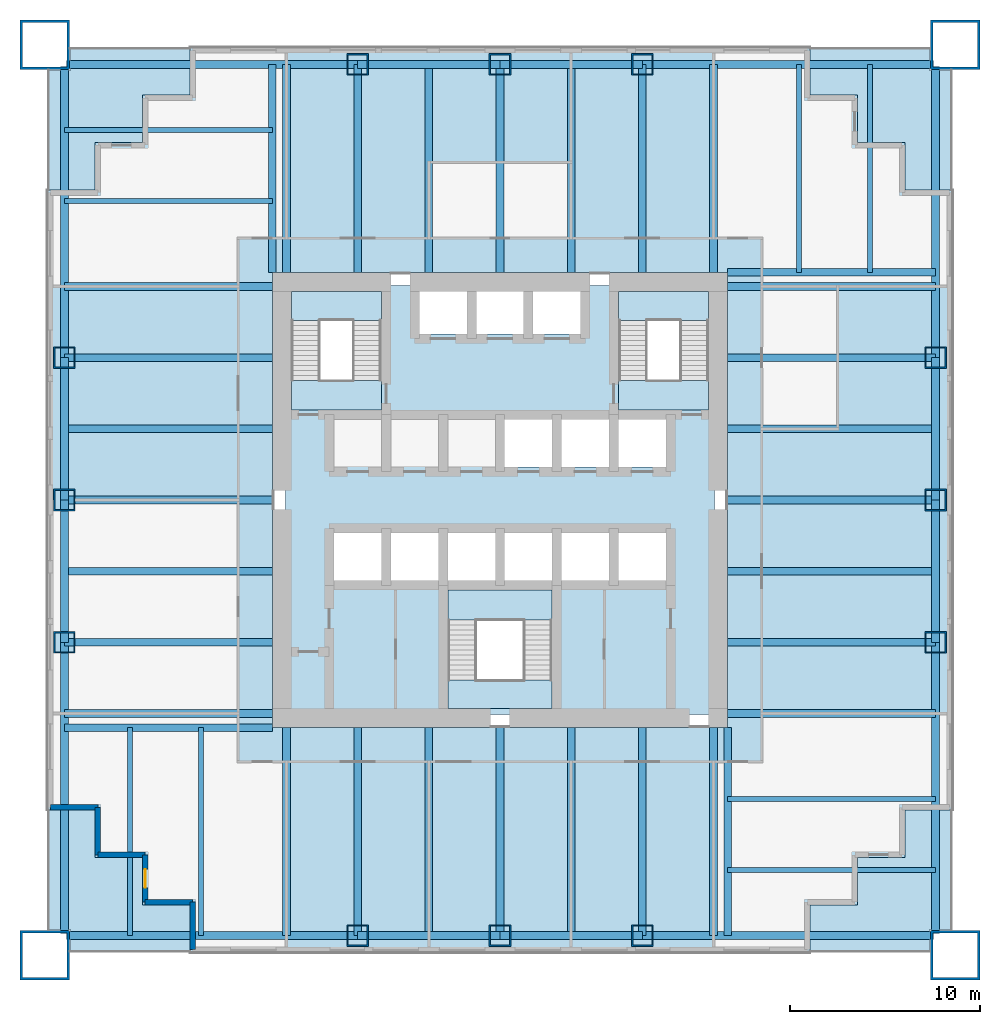
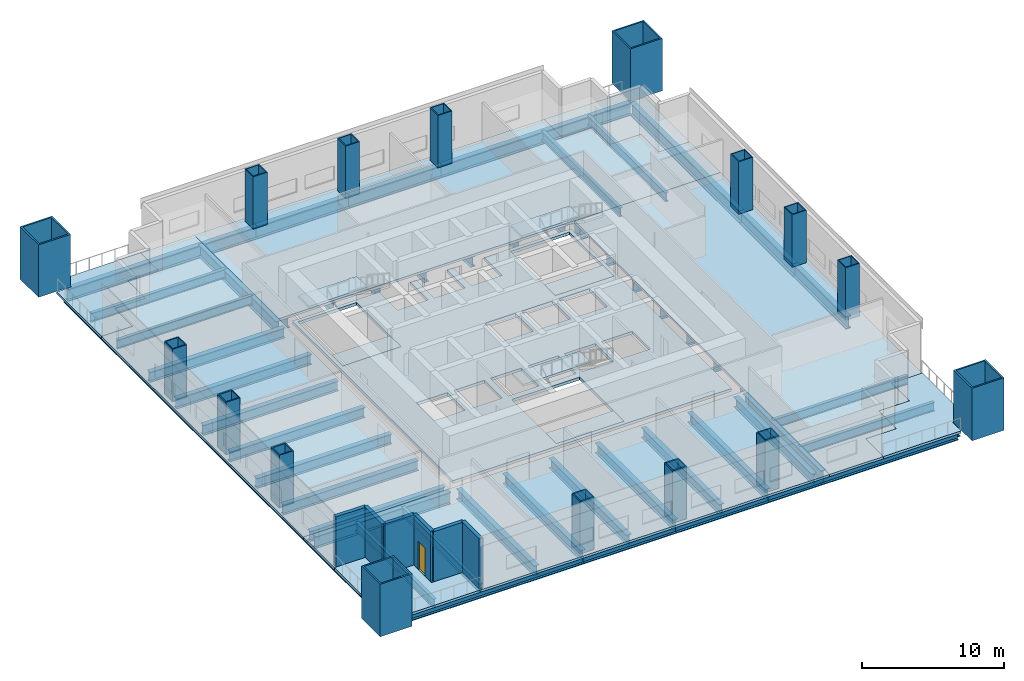
# One storey, part 1 of 7: 56 beams, 16 columns, 15 slabs, 6 walls, 1 door, 1 opening, 3 elements without a shape of their own.
"""IFC4 building model written with IfcOpenShell, lengths in metres."""

from ifc_helpers import new_model, si_unit, direction, frame, frame_2d, origin, origin_2d, place, context, subcontext, project, spatial, polyline, rectangle, hollow_rectangle, i_section, outline, extrude, material, layer, layer_set, material_profile, profile_set, type_object, element, fill, aggregate, save


model = new_model("IFC4")

# Units and contexts
model_context = context("Model", 3, precision=1e-05, world=origin(), true_north=direction((0.0, 1.0)))
body_context = subcontext(model_context, "Body", "Model", "MODEL_VIEW")
ifc_project = project(units=[si_unit("LENGTHUNIT", "METRE"), si_unit("AREAUNIT", "SQUARE_METRE"), si_unit("VOLUMEUNIT", "CUBIC_METRE"), si_unit("PLANEANGLEUNIT", "RADIAN"), si_unit("MASSUNIT", "GRAM", prefix="KILO")], contexts=[model_context])

# Site, building, storey
site_placement = place(None, origin())
site = spatial("IfcSite", under=ifc_project, at=site_placement, CompositionType="ELEMENT")
building_placement = place(site_placement, origin())
building = spatial("IfcBuilding", under=site, at=building_placement, Name="Tarangal Relay Tower", CompositionType="ELEMENT")
storey_placement = place(building_placement, frame((0.0, 0.0, 126.89990234375)))
storey = spatial("IfcBuildingStorey", under=building, at=storey_placement, Name="L25", CompositionType="ELEMENT", Elevation=126.89990234375)

# Columns
ifc_material_1 = material(Name="Steel ASTM A572 Grade 42", Category="steel")
ifc_material_profile_1 = material_profile(ifc_material_1, hollow_rectangle(XDim=2.60009765625, YDim=2.60009765625, WallThickness=0.1298828125, at=origin_2d()), Name="BOX2600X2600X130")
ifc_profile_set_1 = profile_set([ifc_material_profile_1], Name="Steel ASTM A572 Grade 42")
column_type_1 = type_object("IfcColumnType", Name="Mega column BOX2600X2600X130", PredefinedType="COLUMN", material=ifc_profile_set_1)
for number, where, z_axis, x_axis, name in (
    (1, (24.0, 24.0, 0.0), (0.0, 0.0, 1.0), (1.0, 0.0, 0.0), "Mega column MC2 NE L25"),
    (2, (24.0, -24.0, 0.0), (0.0, 0.0, 1.0), (1.0, 0.0, 0.0), "Mega column MC2 SE L25"),
    (3, (-24.0, -24.0, 0.0), (0.0, 0.0, 1.0), (1.0, 0.0, 0.0), "Mega column MC2 SW L25"),
    (4, (-24.0, 24.0, 0.0), (0.0, 0.0, 1.0), (1.0, 0.0, 0.0), "Mega column MC2 NW L25"),
):
    element("IfcColumn", number, at=place(storey_placement, frame(where, z_axis=z_axis, x_axis=x_axis)), inside=storey, type_object=column_type_1, Name=name, PredefinedType="COLUMN", context=body_context, shape_type="SweptSolid", body=[
        extrude(hollow_rectangle(XDim=2.60009765625, YDim=2.60009765625, WallThickness=0.1298828125, at=origin_2d()), origin(), (0.0, 0.0, 1.0), 4.5),
    ])
ifc_material_2 = material(Name="Steel ASTM A572 Grade 50", Category="steel")
ifc_material_profile_2 = material_profile(ifc_material_2, hollow_rectangle(XDim=1.14990234375, YDim=1.14990234375, WallThickness=0.074951171875, at=origin_2d()), Name="BOX1150X1150X75")
ifc_profile_set_2 = profile_set([ifc_material_profile_2], Name="Steel ASTM A572 Grade 50")
column_type_2 = type_object("IfcColumnType", Name="Perimeter column BOX1150X1150X75", PredefinedType="COLUMN", material=ifc_profile_set_2)
for number, where, z_axis, x_axis, name in (
    (5, (-7.5, 22.965087890625, 0.0), (0.0, 0.0, 1.0), (1.0, 0.0, 0.0), "Perimeter column PC3 N L25"),
    (6, (0.0, 22.965087890625, 0.0), (0.0, 0.0, 1.0), (1.0, 0.0, 0.0), "Perimeter column PC3 N L25"),
    (7, (7.5, 22.965087890625, 0.0), (0.0, 0.0, 1.0), (1.0, 0.0, 0.0), "Perimeter column PC3 N L25"),
    (8, (22.965087890625, 7.5, 0.0), (0.0, 0.0, 1.0), (1.0, 0.0, 0.0), "Perimeter column PC3 E L25"),
    (9, (22.965087890625, 0.0, 0.0), (0.0, 0.0, 1.0), (1.0, 0.0, 0.0), "Perimeter column PC3 E L25"),
    (10, (22.965087890625, -7.5, 0.0), (0.0, 0.0, 1.0), (1.0, 0.0, 0.0), "Perimeter column PC3 E L25"),
    (11, (7.5, -22.965087890625, 0.0), (0.0, 0.0, 1.0), (1.0, 0.0, 0.0), "Perimeter column PC3 S L25"),
    (12, (0.0, -22.965087890625, 0.0), (0.0, 0.0, 1.0), (1.0, 0.0, 0.0), "Perimeter column PC3 S L25"),
    (13, (-7.5, -22.965087890625, 0.0), (0.0, 0.0, 1.0), (1.0, 0.0, 0.0), "Perimeter column PC3 S L25"),
    (14, (-22.965087890625, -7.5, 0.0), (0.0, 0.0, 1.0), (1.0, 0.0, 0.0), "Perimeter column PC3 W L25"),
    (15, (-22.965087890625, 0.0, 0.0), (0.0, 0.0, 1.0), (1.0, 0.0, 0.0), "Perimeter column PC3 W L25"),
    (16, (-22.965087890625, 7.5, 0.0), (0.0, 0.0, 1.0), (1.0, 0.0, 0.0), "Perimeter column PC3 W L25"),
):
    element("IfcColumn", number, at=place(storey_placement, frame(where, z_axis=z_axis, x_axis=x_axis)), inside=storey, type_object=column_type_2, Name=name, PredefinedType="COLUMN", context=body_context, shape_type="SweptSolid", body=[
        extrude(hollow_rectangle(XDim=1.14990234375, YDim=1.14990234375, WallThickness=0.074951171875, at=origin_2d()), origin(), (0.0, 0.0, 1.0), 4.5),
    ])

# Beams
ifc_material_3 = material(Name="Steel ASTM A992", Category="steel")
ifc_material_profile_3 = material_profile(ifc_material_3, i_section(OverallWidth=0.2666015625, OverallDepth=0.76953125, WebThickness=0.015625, FlangeThickness=0.025390625, at=origin_2d()), Name="W30X132")
ifc_profile_set_3 = profile_set([ifc_material_profile_3], Name="Steel ASTM A992")
beam_type_1 = type_object("IfcBeamType", Name="Corner beam W30X132", PredefinedType="JOIST", material=ifc_profile_set_3)
for number, where, z_axis, x_axis, name in (
    (17, (15.75, 12.0, -0.584716796875), (0.0, 1.0, 0.0), (-1.0, 0.0, 0.0), "Corner beam CB13 N L25"),
    (18, (19.5, 12.0, -0.584716796875), (0.0, 1.0, 0.0), (-1.0, 0.0, 0.0), "Corner beam CB13 N L25"),
    (19, (12.0, -15.75, -0.584716796875), (1.0, 0.0, 0.0), (0.0, 1.0, 0.0), "Corner beam CB13 E L25"),
    (20, (12.0, -19.5, -0.584716796875), (1.0, 0.0, 0.0), (0.0, 1.0, 0.0), "Corner beam CB13 E L25"),
    (21, (-15.75, -12.0, -0.584716796875), (0.0, -1.0, 0.0), (1.0, 0.0, 0.0), "Corner beam CB13 S L25"),
    (22, (-19.5, -12.0, -0.584716796875), (0.0, -1.0, 0.0), (1.0, 0.0, 0.0), "Corner beam CB13 S L25"),
    (23, (-12.0, 15.75, -0.584716796875), (-1.0, 0.0, 0.0), (0.0, -1.0, 0.0), "Corner beam CB13 W L25"),
    (24, (-12.0, 19.5, -0.584716796875), (-1.0, 0.0, 0.0), (0.0, -1.0, 0.0), "Corner beam CB13 W L25"),
):
    element("IfcBeam", number, at=place(storey_placement, frame(where, z_axis=z_axis, x_axis=x_axis)), inside=storey, type_object=beam_type_1, Name=name, PredefinedType="JOIST", context=body_context, shape_type="SweptSolid", body=[
        extrude(i_section(OverallWidth=0.2666015625, OverallDepth=0.76953125, WebThickness=0.015625, FlangeThickness=0.025390625, at=origin_2d()), origin(), (0.0, 0.0, 1.0), 10.965087890625),
    ])
ifc_material_profile_4 = material_profile(ifc_material_3, i_section(OverallWidth=0.4013671875, OverallDepth=1.01611328125, WebThickness=0.02099609375, FlangeThickness=0.0400390625, at=origin_2d()), Name="W40X277")
ifc_profile_set_4 = profile_set([ifc_material_profile_4], Name="Steel ASTM A992")
beam_type_2 = type_object("IfcBeamType", Name="Corner girder W40X277", PredefinedType="BEAM", material=ifc_profile_set_4)
for number, where, z_axis, x_axis, name in (
    (25, (12.0, 12.0, -0.7080078125), (1.0, 0.0, 0.0), (0.0, 1.0, 0.0), "Corner girder CG3 N L25"),
    (26, (12.0, -12.0, -0.7080078125), (0.0, -1.0, 0.0), (1.0, 0.0, 0.0), "Corner girder CG3 E L25"),
    (27, (-12.0, -12.0, -0.7080078125), (-1.0, 0.0, 0.0), (0.0, -1.0, 0.0), "Corner girder CG3 S L25"),
    (28, (-12.0, 12.0, -0.7080078125), (0.0, 1.0, 0.0), (-1.0, 0.0, 0.0), "Corner girder CG3 W L25"),
):
    element("IfcBeam", number, at=place(storey_placement, frame(where, z_axis=z_axis, x_axis=x_axis)), inside=storey, type_object=beam_type_2, Name=name, PredefinedType="BEAM", context=body_context, shape_type="SweptSolid", body=[
        extrude(i_section(OverallWidth=0.4013671875, OverallDepth=1.01611328125, WebThickness=0.02099609375, FlangeThickness=0.0400390625, at=origin_2d()), origin(), (0.0, 0.0, 1.0), 10.965087890625),
    ])
ifc_material_profile_5 = material_profile(ifc_material_3, i_section(OverallWidth=0.41650390625, OverallDepth=1.0693359375, WebThickness=0.0390625, FlangeThickness=0.070068359375, at=origin_2d()), Name="W40X503")
ifc_profile_set_5 = profile_set([ifc_material_profile_5], Name="Steel ASTM A992")
beam_type_3 = type_object("IfcBeamType", Name="Edge girder W40X503", PredefinedType="SPANDREL", material=ifc_profile_set_5)
beam_1_placement = place(storey_placement, frame((-22.85009765625, 22.965087890625, -0.734619140625), z_axis=(1.0, 0.0, 0.0), x_axis=(0.0, 1.0, 0.0)))
element("IfcBeam", 29, at=beam_1_placement, inside=storey, type_object=beam_type_3, Name="Edge girder EG8 N L25", PredefinedType="SPANDREL", context=body_context, shape_type="SweptSolid", body=[
    extrude(i_section(OverallWidth=0.41650390625, OverallDepth=1.0693359375, WebThickness=0.0390625, FlangeThickness=0.070068359375, at=origin_2d()), origin(), (0.0, 0.0, 1.0), 15.35009765625),
])
for number, where, z_axis, x_axis, name in (
    (30, (-7.5, 22.965087890625, -0.734619140625), (1.0, 0.0, 0.0), (0.0, 1.0, 0.0), "Edge girder EG8 N L25"),
    (31, (0.0, 22.965087890625, -0.734619140625), (1.0, 0.0, 0.0), (0.0, 1.0, 0.0), "Edge girder EG8 N L25"),
):
    element("IfcBeam", number, at=place(storey_placement, frame(where, z_axis=z_axis, x_axis=x_axis)), inside=storey, type_object=beam_type_3, Name=name, PredefinedType="SPANDREL", context=body_context, shape_type="SweptSolid", body=[
        extrude(i_section(OverallWidth=0.41650390625, OverallDepth=1.0693359375, WebThickness=0.0390625, FlangeThickness=0.070068359375, at=origin_2d()), origin(), (0.0, 0.0, 1.0), 7.5),
    ])
for number, where, z_axis, x_axis, name in (
    (32, (7.5, 22.965087890625, -0.734619140625), (1.0, 0.0, 0.0), (0.0, 1.0, 0.0), "Edge girder EG8 N L25"),
    (33, (22.965087890625, 22.85009765625, -0.734619140625), (0.0, -1.0, 0.0), (1.0, 0.0, 0.0), "Edge girder EG8 E L25"),
):
    element("IfcBeam", number, at=place(storey_placement, frame(where, z_axis=z_axis, x_axis=x_axis)), inside=storey, type_object=beam_type_3, Name=name, PredefinedType="SPANDREL", context=body_context, shape_type="SweptSolid", body=[
        extrude(i_section(OverallWidth=0.41650390625, OverallDepth=1.0693359375, WebThickness=0.0390625, FlangeThickness=0.070068359375, at=origin_2d()), origin(), (0.0, 0.0, 1.0), 15.35009765625),
    ])
for number, where, z_axis, x_axis, name in (
    (34, (22.965087890625, 7.5, -0.734619140625), (0.0, -1.0, 0.0), (1.0, 0.0, 0.0), "Edge girder EG8 E L25"),
    (35, (22.965087890625, 0.0, -0.734619140625), (0.0, -1.0, 0.0), (1.0, 0.0, 0.0), "Edge girder EG8 E L25"),
):
    element("IfcBeam", number, at=place(storey_placement, frame(where, z_axis=z_axis, x_axis=x_axis)), inside=storey, type_object=beam_type_3, Name=name, PredefinedType="SPANDREL", context=body_context, shape_type="SweptSolid", body=[
        extrude(i_section(OverallWidth=0.41650390625, OverallDepth=1.0693359375, WebThickness=0.0390625, FlangeThickness=0.070068359375, at=origin_2d()), origin(), (0.0, 0.0, 1.0), 7.5),
    ])
for number, where, z_axis, x_axis, name in (
    (36, (22.965087890625, -7.5, -0.734619140625), (0.0, -1.0, 0.0), (1.0, 0.0, 0.0), "Edge girder EG8 E L25"),
    (37, (22.85009765625, -22.965087890625, -0.734619140625), (-1.0, 0.0, 0.0), (0.0, -1.0, 0.0), "Edge girder EG8 S L25"),
):
    element("IfcBeam", number, at=place(storey_placement, frame(where, z_axis=z_axis, x_axis=x_axis)), inside=storey, type_object=beam_type_3, Name=name, PredefinedType="SPANDREL", context=body_context, shape_type="SweptSolid", body=[
        extrude(i_section(OverallWidth=0.41650390625, OverallDepth=1.0693359375, WebThickness=0.0390625, FlangeThickness=0.070068359375, at=origin_2d()), origin(), (0.0, 0.0, 1.0), 15.35009765625),
    ])
for number, where, z_axis, x_axis, name in (
    (38, (7.5, -22.965087890625, -0.734619140625), (-1.0, 0.0, 0.0), (0.0, -1.0, 0.0), "Edge girder EG8 S L25"),
    (39, (0.0, -22.965087890625, -0.734619140625), (-1.0, 0.0, 0.0), (0.0, -1.0, 0.0), "Edge girder EG8 S L25"),
):
    element("IfcBeam", number, at=place(storey_placement, frame(where, z_axis=z_axis, x_axis=x_axis)), inside=storey, type_object=beam_type_3, Name=name, PredefinedType="SPANDREL", context=body_context, shape_type="SweptSolid", body=[
        extrude(i_section(OverallWidth=0.41650390625, OverallDepth=1.0693359375, WebThickness=0.0390625, FlangeThickness=0.070068359375, at=origin_2d()), origin(), (0.0, 0.0, 1.0), 7.5),
    ])
for number, where, z_axis, x_axis, name in (
    (40, (-7.5, -22.965087890625, -0.734619140625), (-1.0, 0.0, 0.0), (0.0, -1.0, 0.0), "Edge girder EG8 S L25"),
    (41, (-22.965087890625, -22.85009765625, -0.734619140625), (0.0, 1.0, 0.0), (-1.0, 0.0, 0.0), "Edge girder EG8 W L25"),
):
    element("IfcBeam", number, at=place(storey_placement, frame(where, z_axis=z_axis, x_axis=x_axis)), inside=storey, type_object=beam_type_3, Name=name, PredefinedType="SPANDREL", context=body_context, shape_type="SweptSolid", body=[
        extrude(i_section(OverallWidth=0.41650390625, OverallDepth=1.0693359375, WebThickness=0.0390625, FlangeThickness=0.070068359375, at=origin_2d()), origin(), (0.0, 0.0, 1.0), 15.35009765625),
    ])
for number, where, z_axis, x_axis, name in (
    (42, (-22.965087890625, -7.5, -0.734619140625), (0.0, 1.0, 0.0), (-1.0, 0.0, 0.0), "Edge girder EG8 W L25"),
    (43, (-22.965087890625, 0.0, -0.734619140625), (0.0, 1.0, 0.0), (-1.0, 0.0, 0.0), "Edge girder EG8 W L25"),
):
    element("IfcBeam", number, at=place(storey_placement, frame(where, z_axis=z_axis, x_axis=x_axis)), inside=storey, type_object=beam_type_3, Name=name, PredefinedType="SPANDREL", context=body_context, shape_type="SweptSolid", body=[
        extrude(i_section(OverallWidth=0.41650390625, OverallDepth=1.0693359375, WebThickness=0.0390625, FlangeThickness=0.070068359375, at=origin_2d()), origin(), (0.0, 0.0, 1.0), 7.5),
    ])
beam_2_placement = place(storey_placement, frame((-22.965087890625, 7.5, -0.734619140625), z_axis=(0.0, 1.0, 0.0), x_axis=(-1.0, 0.0, 0.0)))
element("IfcBeam", 44, at=beam_2_placement, inside=storey, type_object=beam_type_3, Name="Edge girder EG8 W L25", PredefinedType="SPANDREL", context=body_context, shape_type="SweptSolid", body=[
    extrude(i_section(OverallWidth=0.41650390625, OverallDepth=1.0693359375, WebThickness=0.0390625, FlangeThickness=0.070068359375, at=origin_2d()), origin(), (0.0, 0.0, 1.0), 15.35009765625),
])
ifc_material_profile_6 = material_profile(ifc_material_3, i_section(OverallWidth=0.40380859375, OverallDepth=0.86865234375, WebThickness=0.02099609375, FlangeThickness=0.03564453125, at=origin_2d()), Name="W33X241")
ifc_profile_set_6 = profile_set([ifc_material_profile_6], Name="Steel ASTM A992")
beam_type_4 = type_object("IfcBeamType", Name="Floor beam W33X241", PredefinedType="BEAM", material=ifc_profile_set_6)
for number, where, z_axis, x_axis, name in (
    (45, (-11.25, 12.0, -0.63427734375), (0.0, 1.0, 0.0), (-1.0, 0.0, 0.0), "Floor beam RB11 N L25"),
    (46, (-7.5, 12.0, -0.63427734375), (0.0, 1.0, 0.0), (-1.0, 0.0, 0.0), "Floor beam RB11 N L25"),
    (47, (-3.75, 12.0, -0.63427734375), (0.0, 1.0, 0.0), (-1.0, 0.0, 0.0), "Floor beam RB11 N L25"),
    (48, (0.0, 12.0, -0.63427734375), (0.0, 1.0, 0.0), (-1.0, 0.0, 0.0), "Floor beam RB11 N L25"),
    (49, (3.75, 12.0, -0.63427734375), (0.0, 1.0, 0.0), (-1.0, 0.0, 0.0), "Floor beam RB11 N L25"),
    (50, (7.5, 12.0, -0.63427734375), (0.0, 1.0, 0.0), (-1.0, 0.0, 0.0), "Floor beam RB11 N L25"),
    (51, (11.25, 12.0, -0.63427734375), (0.0, 1.0, 0.0), (-1.0, 0.0, 0.0), "Floor beam RB11 N L25"),
    (52, (12.0, 11.25, -0.63427734375), (1.0, 0.0, 0.0), (0.0, 1.0, 0.0), "Floor beam RB11 E L25"),
    (53, (12.0, 7.5, -0.63427734375), (1.0, 0.0, 0.0), (0.0, 1.0, 0.0), "Floor beam RB11 E L25"),
    (54, (12.0, 3.75, -0.63427734375), (1.0, 0.0, 0.0), (0.0, 1.0, 0.0), "Floor beam RB11 E L25"),
    (55, (12.0, 0.0, -0.63427734375), (1.0, 0.0, 0.0), (0.0, 1.0, 0.0), "Floor beam RB11 E L25"),
    (56, (12.0, -3.75, -0.63427734375), (1.0, 0.0, 0.0), (0.0, 1.0, 0.0), "Floor beam RB11 E L25"),
    (57, (12.0, -7.5, -0.63427734375), (1.0, 0.0, 0.0), (0.0, 1.0, 0.0), "Floor beam RB11 E L25"),
    (58, (12.0, -11.25, -0.63427734375), (1.0, 0.0, 0.0), (0.0, 1.0, 0.0), "Floor beam RB11 E L25"),
    (59, (11.25, -12.0, -0.63427734375), (0.0, -1.0, 0.0), (1.0, 0.0, 0.0), "Floor beam RB11 S L25"),
    (60, (7.5, -12.0, -0.63427734375), (0.0, -1.0, 0.0), (1.0, 0.0, 0.0), "Floor beam RB11 S L25"),
    (61, (3.75, -12.0, -0.63427734375), (0.0, -1.0, 0.0), (1.0, 0.0, 0.0), "Floor beam RB11 S L25"),
    (62, (0.0, -12.0, -0.63427734375), (0.0, -1.0, 0.0), (1.0, 0.0, 0.0), "Floor beam RB11 S L25"),
    (63, (-3.75, -12.0, -0.63427734375), (0.0, -1.0, 0.0), (1.0, 0.0, 0.0), "Floor beam RB11 S L25"),
    (64, (-7.5, -12.0, -0.63427734375), (0.0, -1.0, 0.0), (1.0, 0.0, 0.0), "Floor beam RB11 S L25"),
    (65, (-11.25, -12.0, -0.63427734375), (0.0, -1.0, 0.0), (1.0, 0.0, 0.0), "Floor beam RB11 S L25"),
    (66, (-12.0, -11.25, -0.63427734375), (-1.0, 0.0, 0.0), (0.0, -1.0, 0.0), "Floor beam RB11 W L25"),
    (67, (-12.0, -7.5, -0.63427734375), (-1.0, 0.0, 0.0), (0.0, -1.0, 0.0), "Floor beam RB11 W L25"),
    (68, (-12.0, -3.75, -0.63427734375), (-1.0, 0.0, 0.0), (0.0, -1.0, 0.0), "Floor beam RB11 W L25"),
    (69, (-12.0, 0.0, -0.63427734375), (-1.0, 0.0, 0.0), (0.0, -1.0, 0.0), "Floor beam RB11 W L25"),
    (70, (-12.0, 3.75, -0.63427734375), (-1.0, 0.0, 0.0), (0.0, -1.0, 0.0), "Floor beam RB11 W L25"),
    (71, (-12.0, 7.5, -0.63427734375), (-1.0, 0.0, 0.0), (0.0, -1.0, 0.0), "Floor beam RB11 W L25"),
    (72, (-12.0, 11.25, -0.63427734375), (-1.0, 0.0, 0.0), (0.0, -1.0, 0.0), "Floor beam RB11 W L25"),
):
    element("IfcBeam", number, at=place(storey_placement, frame(where, z_axis=z_axis, x_axis=x_axis)), inside=storey, type_object=beam_type_4, Name=name, PredefinedType="BEAM", context=body_context, shape_type="SweptSolid", body=[
        extrude(i_section(OverallWidth=0.40380859375, OverallDepth=0.86865234375, WebThickness=0.02099609375, FlangeThickness=0.03564453125, at=origin_2d()), origin(), (0.0, 0.0, 1.0), 10.965087890625),
    ])

# Slabs
ifc_material_4 = material(Name="Concrete fc' 35 MPa", Category="concrete")
ifc_layer_1 = layer(ifc_material_4, 0.25)
ifc_layer_set_1 = layer_set([ifc_layer_1], Name="Core floor slab 250")
slab_type_1 = type_object("IfcSlabType", Name="Core floor slab 250", PredefinedType="FLOOR", material=ifc_layer_set_1)
slab_1_placement = place(storey_placement, frame((0.0, 0.0, -0.25)))
element("IfcSlab", 73, at=slab_1_placement, inside=storey, type_object=slab_type_1, Name="Core floor slab L25", PredefinedType="FLOOR", context=body_context, shape_type="SweptSolid", body=[
    extrude(outline(polyline([(11.300048828125, 11.300048828125), (11.300048828125, -11.300048828125), (-11.300048828125, -11.300048828125), (-11.300048828125, 11.300048828125), (-4.25, 11.300048828125), (-4.25, 8.75), (-1.75, 8.75), (-1.75, 11.300048828125), (-1.25, 11.300048828125), (-1.25, 8.75), (1.25, 8.75), (1.25, 11.300048828125), (1.75, 11.300048828125), (1.75, 8.75), (4.25, 8.75), (4.25, 11.300048828125), (11.300048828125, 11.300048828125)]), holes=[polyline([(2.75, -4.75), (-2.75, -4.75), (-2.75, -11.0), (2.75, -11.0), (2.75, -4.75)]), polyline([(-6.25, -4.25), (-6.25, -1.75), (-8.75, -1.75), (-8.75, -4.25), (-6.25, -4.25)]), polyline([(-3.25, -4.25), (-3.25, -1.75), (-5.75, -1.75), (-5.75, -4.25), (-3.25, -4.25)]), polyline([(-0.25, -4.25), (-0.25, -1.75), (-2.75, -1.75), (-2.75, -4.25), (-0.25, -4.25)]), polyline([(2.75, 1.75), (2.75, 4.25), (0.25, 4.25), (0.25, 1.75), (2.75, 1.75)]), polyline([(-6.25, 4.75), (-6.25, 11.0), (-11.0, 11.0), (-11.0, 4.75), (-6.25, 4.75)]), polyline([(2.75, -4.25), (2.75, -1.75), (0.25, -1.75), (0.25, -4.25), (2.75, -4.25)]), polyline([(5.75, -4.25), (5.75, -1.75), (3.25, -1.75), (3.25, -4.25), (5.75, -4.25)]), polyline([(8.75, -4.25), (8.75, -1.75), (6.25, -1.75), (6.25, -4.25), (8.75, -4.25)]), polyline([(5.75, 1.75), (5.75, 4.25), (3.25, 4.25), (3.25, 1.75), (5.75, 1.75)]), polyline([(8.75, 1.75), (8.75, 4.25), (6.25, 4.25), (6.25, 1.75), (8.75, 1.75)]), polyline([(11.0, 4.75), (11.0, 11.0), (6.25, 11.0), (6.25, 4.75), (11.0, 4.75)])]), origin(), (0.0, 0.0, 1.0), 0.25),
])
ifc_layer_2 = layer(ifc_material_4, 0.199951171875)
ifc_layer_set_2 = layer_set([ifc_layer_2], Name="Floor slab 200")
slab_type_2 = type_object("IfcSlabType", Name="Floor slab 200", PredefinedType="FLOOR", material=ifc_layer_set_2)
slab_2_placement = place(storey_placement, frame((0.0, 0.0, -0.199951171875)))
element("IfcSlab", 74, at=slab_2_placement, inside=storey, type_object=slab_type_2, Name="Floor slab FS2 L25 north bay", PredefinedType="FLOOR", context=body_context, shape_type="SweptSolid", body=[
    extrude(outline(polyline([(16.35009765625, 23.85009765625), (16.35009765625, 21.35009765625), (18.85009765625, 21.35009765625), (18.85009765625, 18.85009765625), (21.35009765625, 18.85009765625), (21.35009765625, 16.35009765625), (23.85009765625, 16.35009765625), (23.85009765625, 12.0), (-12.0, 12.0), (-12.0, 23.85009765625), (16.35009765625, 23.85009765625)])), origin(), (0.0, 0.0, 1.0), 0.199951171875),
])
slab_3_placement = place(storey_placement, frame((0.0, 0.0, -0.199951171875)))
element("IfcSlab", 75, at=slab_3_placement, inside=storey, type_object=slab_type_2, Name="Floor slab FS2 L25 east bay", PredefinedType="FLOOR", context=body_context, shape_type="SweptSolid", body=[
    extrude(outline(polyline([(23.85009765625, -16.35009765625), (21.35009765625, -16.35009765625), (21.35009765625, -18.85009765625), (18.85009765625, -18.85009765625), (18.85009765625, -21.35009765625), (16.35009765625, -21.35009765625), (16.35009765625, -23.85009765625), (12.0, -23.85009765625), (12.0, 12.0), (23.85009765625, 12.0), (23.85009765625, -16.35009765625)])), origin(), (0.0, 0.0, 1.0), 0.199951171875),
])
slab_4_placement = place(storey_placement, frame((0.0, 0.0, -0.199951171875)))
element("IfcSlab", 76, at=slab_4_placement, inside=storey, type_object=slab_type_2, Name="Floor slab FS2 L25 south bay", PredefinedType="FLOOR", context=body_context, shape_type="SweptSolid", body=[
    extrude(outline(polyline([(-16.35009765625, -23.85009765625), (-16.35009765625, -21.35009765625), (-18.85009765625, -21.35009765625), (-18.85009765625, -18.85009765625), (-21.35009765625, -18.85009765625), (-21.35009765625, -16.35009765625), (-23.85009765625, -16.35009765625), (-23.85009765625, -12.0), (12.0, -12.0), (12.0, -23.85009765625), (-16.35009765625, -23.85009765625)])), origin(), (0.0, 0.0, 1.0), 0.199951171875),
])
slab_5_placement = place(storey_placement, frame((0.0, 0.0, -0.199951171875)))
element("IfcSlab", 77, at=slab_5_placement, inside=storey, type_object=slab_type_2, Name="Floor slab FS2 L25 west bay", PredefinedType="FLOOR", context=body_context, shape_type="SweptSolid", body=[
    extrude(outline(polyline([(-12.0, 23.85009765625), (-12.0, -12.0), (-23.85009765625, -12.0), (-23.85009765625, 16.35009765625), (-21.35009765625, 16.35009765625), (-21.35009765625, 18.85009765625), (-18.85009765625, 18.85009765625), (-18.85009765625, 21.35009765625), (-16.35009765625, 21.35009765625), (-16.35009765625, 23.85009765625), (-12.0, 23.85009765625)])), origin(), (0.0, 0.0, 1.0), 0.199951171875),
])

# Stair, slabs
ifc_material_5 = material(Name="Steel ASTM A992 stair flight", Category="steel")
stair_type = type_object("IfcStairType", Name="Core stair 1500", PredefinedType="HALF_TURN_STAIR", material=ifc_material_5)
stair_1_placement = place(storey_placement, origin())
stair_1 = element("IfcStair", 78, at=stair_1_placement, inside=storey, type_object=stair_type, Name="Stair ST-A L25", PredefinedType="HALF_TURN_STAIR")
ifc_layer_3 = layer(ifc_material_4, 0.199951171875)
ifc_layer_set_3 = layer_set([ifc_layer_3], Name="Stair landing 200")
slab_type_3 = type_object("IfcSlabType", Name="Stair landing 200", PredefinedType="LANDING", material=ifc_layer_set_3)
slab_6_placement = place(storey_placement, frame((0.0, 0.0, -0.199951171875)))
slab_6 = element("IfcSlab", 79, at=slab_6_placement, type_object=slab_type_3, Name="ST-A landing 1", PredefinedType="LANDING", context=body_context, shape_type="SweptSolid", body=[
    extrude(outline(polyline([(-11.0, 4.75), (-6.25, 4.75), (-6.25, 6.300048828125), (-11.0, 6.300048828125), (-11.0, 4.75)])), origin(), (0.0, 0.0, 1.0), 0.199951171875),
])
slab_7_placement = place(storey_placement, frame((0.0, 0.0, 2.050048828125)))
slab_7 = element("IfcSlab", 80, at=slab_7_placement, type_object=slab_type_3, Name="ST-A landing 2", PredefinedType="LANDING", context=body_context, shape_type="SweptSolid", body=[
    extrude(outline(polyline([(-11.0, 9.468017578125), (-6.25, 9.468017578125), (-6.25, 11.0), (-11.0, 11.0), (-11.0, 9.468017578125)])), origin(), (0.0, 0.0, 1.0), 0.199951171875),
])
aggregate(stair_1, [slab_6, slab_7])

stair_2_placement = place(storey_placement, origin())
stair_2 = element("IfcStair", 81, at=stair_2_placement, inside=storey, type_object=stair_type, Name="Stair ST-B L25", PredefinedType="HALF_TURN_STAIR")
slab_8_placement = place(storey_placement, frame((0.0, 0.0, -0.199951171875)))
slab_8 = element("IfcSlab", 82, at=slab_8_placement, type_object=slab_type_3, Name="ST-B landing 1", PredefinedType="LANDING", context=body_context, shape_type="SweptSolid", body=[
    extrude(outline(polyline([(6.25, 4.75), (11.0, 4.75), (11.0, 6.300048828125), (6.25, 6.300048828125), (6.25, 4.75)])), origin(), (0.0, 0.0, 1.0), 0.199951171875),
])
slab_9_placement = place(storey_placement, frame((0.0, 0.0, 2.050048828125)))
slab_9 = element("IfcSlab", 83, at=slab_9_placement, type_object=slab_type_3, Name="ST-B landing 2", PredefinedType="LANDING", context=body_context, shape_type="SweptSolid", body=[
    extrude(outline(polyline([(6.25, 9.468017578125), (11.0, 9.468017578125), (11.0, 11.0), (6.25, 11.0), (6.25, 9.468017578125)])), origin(), (0.0, 0.0, 1.0), 0.199951171875),
])
aggregate(stair_2, [slab_8, slab_9])

stair_3_placement = place(storey_placement, origin())
stair_3 = element("IfcStair", 84, at=stair_3_placement, inside=storey, type_object=stair_type, Name="Stair ST-C L25", PredefinedType="HALF_TURN_STAIR")
slab_10_placement = place(storey_placement, frame((0.0, 0.0, -0.199951171875)))
slab_10 = element("IfcSlab", 85, at=slab_10_placement, type_object=slab_type_3, Name="ST-C landing 1", PredefinedType="LANDING", context=body_context, shape_type="SweptSolid", body=[
    extrude(outline(polyline([(-2.75, -11.0), (2.75, -11.0), (2.75, -9.5), (-2.75, -9.5), (-2.75, -11.0)])), origin(), (0.0, 0.0, 1.0), 0.199951171875),
])
slab_11_placement = place(storey_placement, frame((0.0, 0.0, 2.050048828125)))
slab_11 = element("IfcSlab", 86, at=slab_11_placement, type_object=slab_type_3, Name="ST-C landing 2", PredefinedType="LANDING", context=body_context, shape_type="SweptSolid", body=[
    extrude(outline(polyline([(-2.75, -6.33203125), (2.75, -6.33203125), (2.75, -4.75), (-2.75, -4.75), (-2.75, -6.33203125)])), origin(), (0.0, 0.0, 1.0), 0.199951171875),
])
aggregate(stair_3, [slab_10, slab_11])

# Slabs
ifc_layer_4 = layer(ifc_material_4, 0.199951171875)
ifc_layer_set_4 = layer_set([ifc_layer_4], Name="Terrace slab 200")
slab_type_4 = type_object("IfcSlabType", Name="Terrace slab 200", PredefinedType="FLOOR", material=ifc_layer_set_4)
slab_12_placement = place(storey_placement, frame((0.0, 0.0, -0.199951171875)))
element("IfcSlab", 87, at=slab_12_placement, inside=storey, type_object=slab_type_4, Name="Corner terrace NE L25", PredefinedType="FLOOR", context=body_context, shape_type="SweptSolid", body=[
    extrude(outline(polyline([(16.35009765625, 23.85009765625), (16.35009765625, 21.35009765625), (18.85009765625, 21.35009765625), (18.85009765625, 18.85009765625), (21.35009765625, 18.85009765625), (21.35009765625, 16.35009765625), (23.85009765625, 16.35009765625), (23.85009765625, 22.64990234375), (22.64990234375, 22.64990234375), (22.64990234375, 23.85009765625), (16.35009765625, 23.85009765625)])), origin(), (0.0, 0.0, 1.0), 0.199951171875),
])
slab_13_placement = place(storey_placement, frame((0.0, 0.0, -0.199951171875)))
element("IfcSlab", 88, at=slab_13_placement, inside=storey, type_object=slab_type_4, Name="Corner terrace SE L25", PredefinedType="FLOOR", context=body_context, shape_type="SweptSolid", body=[
    extrude(outline(polyline([(23.85009765625, -16.35009765625), (21.35009765625, -16.35009765625), (21.35009765625, -18.85009765625), (18.85009765625, -18.85009765625), (18.85009765625, -21.35009765625), (16.35009765625, -21.35009765625), (16.35009765625, -23.85009765625), (22.64990234375, -23.85009765625), (22.64990234375, -22.64990234375), (23.85009765625, -22.64990234375), (23.85009765625, -16.35009765625)])), origin(), (0.0, 0.0, 1.0), 0.199951171875),
])
slab_14_placement = place(storey_placement, frame((0.0, 0.0, -0.199951171875)))
element("IfcSlab", 89, at=slab_14_placement, inside=storey, type_object=slab_type_4, Name="Corner terrace SW L25", PredefinedType="FLOOR", context=body_context, shape_type="SweptSolid", body=[
    extrude(outline(polyline([(-16.35009765625, -23.85009765625), (-16.35009765625, -21.35009765625), (-18.85009765625, -21.35009765625), (-18.85009765625, -18.85009765625), (-21.35009765625, -18.85009765625), (-21.35009765625, -16.35009765625), (-23.85009765625, -16.35009765625), (-23.85009765625, -22.64990234375), (-22.64990234375, -22.64990234375), (-22.64990234375, -23.85009765625), (-16.35009765625, -23.85009765625)])), origin(), (0.0, 0.0, 1.0), 0.199951171875),
])
slab_15_placement = place(storey_placement, frame((0.0, 0.0, -0.199951171875)))
element("IfcSlab", 90, at=slab_15_placement, inside=storey, type_object=slab_type_4, Name="Corner terrace NW L25", PredefinedType="FLOOR", context=body_context, shape_type="SweptSolid", body=[
    extrude(outline(polyline([(-23.85009765625, 16.35009765625), (-21.35009765625, 16.35009765625), (-21.35009765625, 18.85009765625), (-18.85009765625, 18.85009765625), (-18.85009765625, 21.35009765625), (-16.35009765625, 21.35009765625), (-16.35009765625, 23.85009765625), (-22.64990234375, 23.85009765625), (-22.64990234375, 22.64990234375), (-23.85009765625, 22.64990234375), (-23.85009765625, 16.35009765625)])), origin(), (0.0, 0.0, 1.0), 0.199951171875),
])

# Walls
ifc_material_6 = material(Name="Insulated precast concrete fc' 40 MPa", Category="concrete")
ifc_layer_5 = layer(ifc_material_6, 0.300048828125)
ifc_layer_set_5 = layer_set([ifc_layer_5], Name="Insulated precast concrete fc' 40 MPa")
wall_type = type_object("IfcWallType", Name="Facade wall precast 300", PredefinedType="SOLIDWALL", material=ifc_layer_set_5)
for number, where, z_axis, x_axis, name in (
    (91, (-16.199951171875, -23.699951171875, 0.0), (0.0, 0.0, 1.0), (0.0, 1.0, 0.0), "Facade wall S facade L25"),
    (92, (-16.199951171875, -21.199951171875, 0.0), (0.0, 0.0, 1.0), (-1.0, 0.0, 0.0), "Facade wall S facade L25"),
):
    element("IfcWall", number, at=place(storey_placement, frame(where, z_axis=z_axis, x_axis=x_axis)), inside=storey, type_object=wall_type, Name=name, PredefinedType="SOLIDWALL", context=body_context, shape_type="SweptSolid", body=[
        extrude(rectangle(XDim=2.5, YDim=0.300048828125, at=frame_2d((1.25, 0.0))), origin(), (0.0, 0.0, 1.0), 4.300048828125),
    ])

# Wall, opening, door
wall_placement = place(storey_placement, frame((-18.699951171875, -21.199951171875, 0.0), z_axis=(0.0, 0.0, 1.0), x_axis=(0.0, 1.0, 0.0)))
wall = element("IfcWall", 93, at=wall_placement, inside=storey, type_object=wall_type, Name="Facade wall S facade L25", PredefinedType="SOLIDWALL", context=body_context, shape_type="SweptSolid", body=[
    extrude(rectangle(XDim=2.5, YDim=0.300048828125, at=frame_2d((1.25, 0.0))), origin(), (0.0, 0.0, 1.0), 4.300048828125),
])
opening_placement = place(wall_placement, frame((0.75, 0.0, 0.0)))
opening = element("IfcOpeningElement", 94, at=opening_placement, cuts=wall, Name="Opening TD1", PredefinedType="OPENING", context=body_context, shape_type="SweptSolid", body=[
    extrude(rectangle(XDim=1.0, YDim=2.39990234375, at=frame_2d((0.5, 1.199951171875))), frame((0.0, 0.159912109375, 0.0), z_axis=(0.0, -1.0, 0.0), x_axis=(1.0, 0.0, 0.0)), (0.0, 0.0, 1.0), 0.320068359375),
])
ifc_material_7 = material(Name="Aluminium glazed door", Category="aluminium")
door_type = type_object("IfcDoorType", Name="Terrace door 1000 x 2400", OperationType="SINGLE_SWING_RIGHT", PredefinedType="DOOR", material=ifc_material_7)
door_placement = place(opening_placement, origin())
door = element("IfcDoor", 95, at=door_placement, inside=storey, type_object=door_type, Name="Terrace door TD1 SW L25", OperationType="SINGLE_SWING_RIGHT", OverallHeight=2.39990234375, OverallWidth=1.0, PredefinedType="DOOR", context=body_context, shape_type="SweptSolid", body=[
    extrude(rectangle(XDim=1.0, YDim=2.39990234375, at=frame_2d((0.5, 1.199951171875))), frame((0.0, 0.02490234375, 0.0), z_axis=(0.0, -1.0, 0.0), x_axis=(1.0, 0.0, 0.0)), (0.0, 0.0, 1.0), 0.050048828125),
])
fill(opening, door)

# Walls
for number, where, z_axis, x_axis, name in (
    (96, (-18.699951171875, -18.699951171875, 0.0), (0.0, 0.0, 1.0), (-1.0, 0.0, 0.0), "Facade wall S facade L25"),
    (97, (-21.199951171875, -18.699951171875, 0.0), (0.0, 0.0, 1.0), (0.0, 1.0, 0.0), "Facade wall S facade L25"),
    (98, (-21.199951171875, -16.199951171875, 0.0), (0.0, 0.0, 1.0), (-1.0, 0.0, 0.0), "Facade wall S facade L25"),
):
    element("IfcWall", number, at=place(storey_placement, frame(where, z_axis=z_axis, x_axis=x_axis)), inside=storey, type_object=wall_type, Name=name, PredefinedType="SOLIDWALL", context=body_context, shape_type="SweptSolid", body=[
        extrude(rectangle(XDim=2.5, YDim=0.300048828125, at=frame_2d((1.25, 0.0))), origin(), (0.0, 0.0, 1.0), 4.300048828125),
    ])

save(model, "model.ifc")
